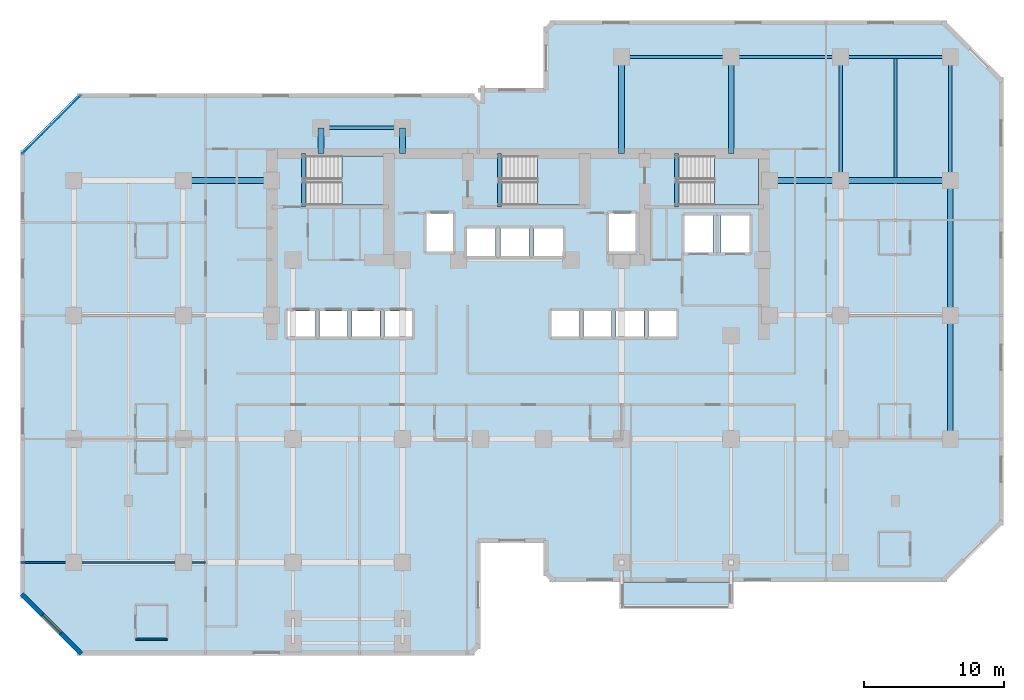
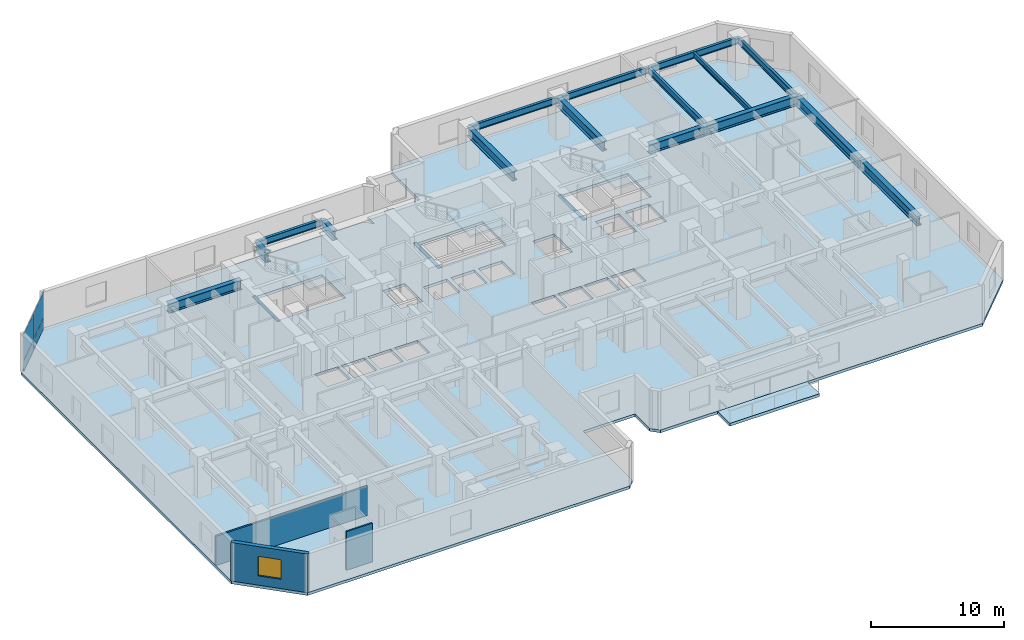
# One storey, part 4 of 11: 19 beams, 5 slabs, 4 plates, 3 walls, 1 window, 1 opening, 4 elements without a shape of their own.
"""IFC4 building model written with IfcOpenShell, lengths in metres."""

import ifcopenshell
import ifcopenshell.guid

model = None  # the IFC model being written
_history = None  # IfcOwnerHistory: only IFC2X3 demands one
_inside = {}  # id of a spatial element -> (the spatial element, [elements in it])
_under = {}  # id of a project, library or spatial element -> (it, [spatial elements below it])
_declared = {}  # id of a project -> (the project, [libraries it declares])
_typed = {}  # id of a type object -> (the type object, [elements of that type])
_made_of = {}  # id of a material, layer set ... -> (it, [elements and type objects made of it])


def new_model(schema):
    """Start an empty IFC model of exactly this schema.

    Asked for "IFC4X3", IfcOpenShell would pick the latest addendum, in which some entities
    have other attributes; the version numbers below select the first issue.
    IFC2X3 requires an IfcOwnerHistory on every rooted entity: one is made here for all.
    """
    global model, _history
    if schema == "IFC4X3":
        model = ifcopenshell.file(schema_version=(4, 3, 0, 0))
    else:
        model = ifcopenshell.file(schema=schema)
    _inside.clear()
    _under.clear()
    _declared.clear()
    _typed.clear()
    _made_of.clear()
    _history = None
    if model.schema == "IFC2X3":
        org = make("IfcOrganization", Name="unknown")
        user = make(
            "IfcPersonAndOrganization",
            ThePerson=make("IfcPerson", FamilyName="unknown"),
            TheOrganization=org,
        )
        app = make(
            "IfcApplication",
            ApplicationDeveloper=org,
            Version="unknown",
            ApplicationFullName="unknown",
            ApplicationIdentifier="unknown",
        )
        _history = make(
            "IfcOwnerHistory",
            OwningUser=user,
            OwningApplication=app,
            ChangeAction="ADDED",
            CreationDate=0,
        )
    return model


def make(cls, **values):
    """One entity of the class cls with the attributes given. An attribute that is None is left unset."""
    return model.create_entity(
        cls, **{name: value for name, value in values.items() if value is not None}
    )


def rooted(cls, **values):
    """An entity with a GlobalId (a new one), such as an element, a storey or a relation."""
    return make(cls, GlobalId=ifcopenshell.guid.new(), OwnerHistory=_history, **values)


def si_unit(unit_type, name, prefix=None):
    """IfcSIUnit, for example si_unit("LENGTHUNIT", "METRE", prefix="MILLI")."""
    return make("IfcSIUnit", UnitType=unit_type, Prefix=prefix, Name=name)


def assignment(units):
    """IfcUnitAssignment: the units of a project."""
    return None if units is None else make("IfcUnitAssignment", Units=units)


def point(xyz):
    """IfcCartesianPoint."""
    return None if xyz is None else make("IfcCartesianPoint", Coordinates=xyz)


def direction(xyz):
    """IfcDirection."""
    return None if xyz is None else make("IfcDirection", DirectionRatios=xyz)


def frame(location, z_axis=None, x_axis=None):
    """IfcAxis2Placement3D, a coordinate frame: its origin and axes. An axis left out is left unset."""
    return make(
        "IfcAxis2Placement3D",
        Location=point(location),
        Axis=direction(z_axis),
        RefDirection=direction(x_axis),
    )


def frame_2d(location, x_axis=None):
    """IfcAxis2Placement2D, a coordinate frame in the plane: its origin and x axis."""
    return make(
        "IfcAxis2Placement2D", Location=point(location), RefDirection=direction(x_axis)
    )


def origin():
    """The frame at (0, 0, 0) with its axes left unset."""
    return frame((0.0, 0.0, 0.0))


def origin_2d():
    """The frame at (0, 0) in the plane with its x axis left unset."""
    return frame_2d((0.0, 0.0))


def place(relative_to, where):
    """IfcLocalPlacement: puts the frame where relative to a parent placement (None: the world)."""
    return make(
        "IfcLocalPlacement", PlacementRelTo=relative_to, RelativePlacement=where
    )


def context(
    kind, dimensions, precision=None, world=None, true_north=None, identifier=None
):
    """IfcGeometricRepresentationContext, for example the 3D "Model" context."""
    return make(
        "IfcGeometricRepresentationContext",
        ContextIdentifier=identifier,
        ContextType=kind,
        CoordinateSpaceDimension=dimensions,
        Precision=precision,
        WorldCoordinateSystem=world,
        TrueNorth=true_north,
    )


def subcontext(parent, identifier, kind, view, scale=None):
    """IfcGeometricRepresentationSubContext, for example "Body" below "Model"."""
    return make(
        "IfcGeometricRepresentationSubContext",
        ContextIdentifier=identifier,
        ContextType=kind,
        ParentContext=parent,
        TargetScale=scale,
        TargetView=view,
    )


def project(units=None, contexts=None):
    """IfcProject with its units and contexts."""
    return rooted(
        "IfcProject",
        Name="project",
        RepresentationContexts=contexts,
        UnitsInContext=assignment(units),
    )


def spatial(cls, under=None, at=None, **own):
    """A site, building, storey or space (cls), placed at a placement, below another one or the project."""
    s = rooted(cls, ObjectPlacement=at, **own)
    if under is not None:
        _under.setdefault(under.id(), (under, []))[1].append(s)
    return s


def polyline(points):
    """IfcPolyline through the points."""
    return make("IfcPolyline", Points=[point(p) for p in points])


def profile(cls, at=None, kind="AREA", **sizes):
    """A parametric profile (cls). Its sizes go by their IFC names, for example OverallWidth=200.0."""
    return make(cls, ProfileType=kind, Position=at, **sizes)


def rectangle(**sizes):
    """IfcRectangleProfileDef."""
    return profile("IfcRectangleProfileDef", **sizes)


def i_section(**sizes):
    """IfcIShapeProfileDef."""
    return profile("IfcIShapeProfileDef", **sizes)


def outline(outer, holes=None, kind="AREA"):
    """IfcArbitraryClosedProfileDef: a profile drawn as a closed curve; with holes, ...WithVoids."""
    if holes is None:
        return make("IfcArbitraryClosedProfileDef", ProfileType=kind, OuterCurve=outer)
    return make(
        "IfcArbitraryProfileDefWithVoids",
        ProfileType=kind,
        OuterCurve=outer,
        InnerCurves=holes,
    )


def extrude(swept, where, along, depth):
    """IfcExtrudedAreaSolid: the profile swept, set in the frame where, extruded along a direction by depth."""
    return make(
        "IfcExtrudedAreaSolid",
        SweptArea=swept,
        Position=where,
        ExtrudedDirection=direction(along),
        Depth=depth,
    )


def shape(context_of_items, identifier, shape_type, items):
    """IfcShapeRepresentation: the items that make up one representation, for example the "Body"."""
    return make(
        "IfcShapeRepresentation",
        ContextOfItems=context_of_items,
        RepresentationIdentifier=identifier,
        RepresentationType=shape_type,
        Items=items,
    )


def material(Name=None, Category=None):
    """IfcMaterial."""
    return make("IfcMaterial", Name=Name, Category=Category)


def layer(
    of_material, thickness, ventilated=None, Name=None, Category=None, Priority=None
):
    """IfcMaterialLayer: one layer of a wall or slab, of a material (None: an air gap)."""
    return make(
        "IfcMaterialLayer",
        Material=of_material,
        LayerThickness=thickness,
        IsVentilated=ventilated,
        Name=Name,
        Category=Category,
        Priority=Priority,
    )


def layer_set(layers, Name=None):
    """IfcMaterialLayerSet."""
    return make("IfcMaterialLayerSet", MaterialLayers=layers, LayerSetName=Name)


def material_profile(
    of_material, cross_section, Name=None, Category=None, Priority=None
):
    """IfcMaterialProfile: a cross section and its material."""
    return make(
        "IfcMaterialProfile",
        Name=Name,
        Material=of_material,
        Profile=cross_section,
        Priority=Priority,
        Category=Category,
    )


def profile_set(profiles, Name=None, composite=None):
    """IfcMaterialProfileSet."""
    return make(
        "IfcMaterialProfileSet",
        Name=Name,
        MaterialProfiles=profiles,
        CompositeProfile=composite,
    )


def made_of(thing, what):
    """Note that an element or type object is made of a material, layer set ...; save() writes the relation."""
    if what is not None:
        _made_of.setdefault(what.id(), (what, []))[1].append(thing)
    return thing


def type_object(cls, material=None, **own):
    """A type object (cls), such as IfcWallType, which elements share."""
    return made_of(rooted(cls, **own), material)


def element(
    cls,
    number,
    at=None,
    inside=None,
    cuts=None,
    type_object=None,
    material=None,
    context=None,
    identifier="Body",
    shape_type=None,
    held_by="IfcProductDefinitionShape",
    body=None,
    shapes=None,
    **own,
):
    """One element of the class cls, such as IfcWall. Its Tag is "e" and its number.

    at: its placement. inside: the storey or other place that contains it. cuts: it is an
    opening in that element (IfcRelVoidsElement). A single representation is given by context,
    identifier, shape_type and body (its items); several are given by shapes. held_by: the class
    of the entity that holds the representations. save() writes the other relations.
    """
    e = rooted(cls, Tag="e%d" % number, ObjectPlacement=at, **own)
    if body is not None:
        shapes = [shape(context, identifier, shape_type, body)]
    if shapes is not None:
        e.Representation = make(held_by, Representations=shapes)
    if inside is not None:
        _inside.setdefault(inside.id(), (inside, []))[1].append(e)
    if cuts is not None:
        rooted(
            "IfcRelVoidsElement", RelatingBuildingElement=cuts, RelatedOpeningElement=e
        )
    if type_object is not None:
        _typed.setdefault(type_object.id(), (type_object, []))[1].append(e)
    return made_of(e, material)


def fill(opening, filler):
    """IfcRelFillsElement: the door or window that sits in an opening."""
    return rooted(
        "IfcRelFillsElement",
        RelatingOpeningElement=opening,
        RelatedBuildingElement=filler,
    )


def aggregate(whole, parts):
    """IfcRelAggregates: a whole, such as a stair, and the parts it consists of."""
    return rooted("IfcRelAggregates", RelatingObject=whole, RelatedObjects=parts)


def save(model, path):
    """Write the relations noted so far, then the file.

    IfcRelAggregates (storeys below a building ...), IfcRelContainedInSpatialStructure (elements
    in a storey), IfcRelDefinesByType, IfcRelAssociatesMaterial and IfcRelDeclares: one each for
    every whole, place, type object, material and project.
    """
    for whole, parts in _under.values():
        aggregate(whole, parts)
    for where, things in _inside.values():
        rooted(
            "IfcRelContainedInSpatialStructure",
            RelatedElements=things,
            RelatingStructure=where,
        )
    for kind, things in _typed.values():
        rooted("IfcRelDefinesByType", RelatedObjects=things, RelatingType=kind)
    for what, things in _made_of.values():
        rooted("IfcRelAssociatesMaterial", RelatedObjects=things, RelatingMaterial=what)
    for by, libraries in _declared.values():
        rooted("IfcRelDeclares", RelatingContext=by, RelatedDefinitions=libraries)
    model.write(path)


model = new_model("IFC4")

# Units and contexts
model_context = context("Model", 3, precision=1e-05, world=origin(), true_north=direction((0.0, 1.0)))
body_context = subcontext(model_context, "Body", "Model", "MODEL_VIEW")
ifc_project = project(units=[si_unit("LENGTHUNIT", "METRE"), si_unit("AREAUNIT", "SQUARE_METRE"), si_unit("VOLUMEUNIT", "CUBIC_METRE"), si_unit("PLANEANGLEUNIT", "RADIAN"), si_unit("MASSUNIT", "GRAM", prefix="KILO")], contexts=[model_context])

# Site, building, storey
site_placement = place(None, origin())
site = spatial("IfcSite", under=ifc_project, at=site_placement, CompositionType="ELEMENT")
building_placement = place(site_placement, origin())
building = spatial("IfcBuilding", under=site, at=building_placement, Name="Kestravale Grand Hotel", CompositionType="ELEMENT")
storey_placement = place(building_placement, frame((0.0, 0.0, 107.0)))
storey = spatial("IfcBuildingStorey", under=building, at=storey_placement, Name="L26", CompositionType="ELEMENT", Elevation=107.0)

# Beams
ifc_material_1 = material(Name="Steel ASTM A992 Grade 50", Category="steel")
ifc_material_profile_1 = material_profile(ifc_material_1, i_section(OverallWidth=0.19091796875, OverallDepth=0.45703125, WebThickness=0.009033203125, FlangeThickness=0.014404296875, FilletRadius=0.015380859375, at=origin_2d()))
ifc_profile_set_1 = profile_set([ifc_material_profile_1], Name="Steel ASTM A992 Grade 50")
beam_type_1 = type_object("IfcBeamType", Name="B-FLR-JST18", PredefinedType="JOIST", material=ifc_profile_set_1)
beam_1_placement = place(storey_placement, frame((66.300048828125, 38.6005859375, 3.3115234375), z_axis=(0.0, 1.0, 0.0), x_axis=(-1.0, 0.0, 0.0)))
element("IfcBeam", 1, at=beam_1_placement, inside=storey, type_object=beam_type_1, Name="L26 floor joist 10-11/F-G #1", PredefinedType="JOIST", context=body_context, shape_type="SweptSolid", body=[
    extrude(i_section(OverallWidth=0.19091796875, OverallDepth=0.45703125, WebThickness=0.009033203125, FlangeThickness=0.014404296875, FilletRadius=0.015380859375, at=origin_2d()), origin(), (0.0, 0.0, 1.0), 8.48486328125),
])
ifc_material_2 = material(Name="Concrete f'c 45 MPa", Category="concrete")
ifc_material_profile_2 = material_profile(ifc_material_2, rectangle(XDim=0.300048828125, YDim=0.39990234375, at=origin_2d()))
ifc_profile_set_2 = profile_set([ifc_material_profile_2], Name="Concrete f'c 45 MPa")
beam_type_2 = type_object("IfcBeamType", Name="B-FLR-LNT400", PredefinedType="LINTEL", material=ifc_profile_set_2)
for number, where, z_axis, x_axis, name in (
    (2, (24.159912109375, 36.52001953125, -0.199951171875), (0.0, 1.0, 0.0), (-1.0, 0.0, 0.0), "L26 ST1 flight bottom header beam"),
    (3, (38.110107421875, 36.52001953125, -0.199951171875), (0.0, 1.0, 0.0), (-1.0, 0.0, 0.0), "L26 ST2 flight bottom header beam"),
    (4, (50.7099609375, 36.52001953125, -0.199951171875), (0.0, 1.0, 0.0), (-1.0, 0.0, 0.0), "L26 ST3 flight bottom header beam"),
):
    element("IfcBeam", number, at=place(storey_placement, frame(where, z_axis=z_axis, x_axis=x_axis)), inside=storey, type_object=beam_type_2, Name=name, PredefinedType="LINTEL", context=body_context, shape_type="SweptSolid", body=[
        extrude(rectangle(XDim=0.300048828125, YDim=0.39990234375, at=origin_2d()), origin(), (0.0, 0.0, 1.0), 3.800048828125),
    ])
ifc_material_3 = material(Name="Steel ASTM A992 Grade 50", Category="steel")
ifc_material_profile_3 = material_profile(ifc_material_3, i_section(OverallWidth=0.22900390625, OverallDepth=0.612060546875, WebThickness=0.011962890625, FlangeThickness=0.01953125, FilletRadius=0.019287109375, at=origin_2d()))
ifc_profile_set_3 = profile_set([ifc_material_profile_3], Name="Steel ASTM A992 Grade 50")
beam_type_3 = type_object("IfcBeamType", Name="B-FLR-W24B", PredefinedType="SPANDREL", material=ifc_profile_set_3)
beam_2_placement = place(storey_placement, frame((46.800048828125, 47.199951171875, 3.23388671875), z_axis=(1.0, 0.0, 0.0), x_axis=(0.0, 1.0, 0.0)))
element("IfcBeam", 5, at=beam_2_placement, inside=storey, type_object=beam_type_3, Name="L26 spandrel G:8-9", PredefinedType="SPANDREL", context=body_context, shape_type="SweptSolid", body=[
    extrude(i_section(OverallWidth=0.22900390625, OverallDepth=0.612060546875, WebThickness=0.011962890625, FlangeThickness=0.01953125, FilletRadius=0.019287109375, at=origin_2d()), origin(), (0.0, 0.0, 1.0), 7.800048828125),
])
beam_3_placement = place(storey_placement, frame((54.60009765625, 47.199951171875, 3.23388671875), z_axis=(1.0, 0.0, 0.0), x_axis=(0.0, 1.0, 0.0)))
element("IfcBeam", 6, at=beam_3_placement, inside=storey, type_object=beam_type_3, Name="L26 spandrel G:9-10", PredefinedType="SPANDREL", context=body_context, shape_type="SweptSolid", body=[
    extrude(i_section(OverallWidth=0.22900390625, OverallDepth=0.612060546875, WebThickness=0.011962890625, FlangeThickness=0.01953125, FilletRadius=0.019287109375, at=origin_2d()), origin(), (0.0, 0.0, 1.0), 7.7998046875),
])
beam_4_placement = place(storey_placement, frame((62.39990234375, 47.199951171875, 3.23388671875), z_axis=(1.0, 0.0, 0.0), x_axis=(0.0, 1.0, 0.0)))
element("IfcBeam", 7, at=beam_4_placement, inside=storey, type_object=beam_type_3, Name="L26 spandrel G:10-11", PredefinedType="SPANDREL", context=body_context, shape_type="SweptSolid", body=[
    extrude(i_section(OverallWidth=0.22900390625, OverallDepth=0.612060546875, WebThickness=0.011962890625, FlangeThickness=0.01953125, FilletRadius=0.019287109375, at=origin_2d()), origin(), (0.0, 0.0, 1.0), 7.800048828125),
])
beam_5_placement = place(storey_placement, frame((25.39990234375, 42.14990234375, 3.23388671875), z_axis=(1.0, 0.0, 0.0), x_axis=(0.0, 1.0, 0.0)))
element("IfcBeam", 8, at=beam_5_placement, inside=storey, type_object=beam_type_3, Name="L26 perimeter tie spandrel FN:4-5", PredefinedType="SPANDREL", context=body_context, shape_type="SweptSolid", body=[
    extrude(i_section(OverallWidth=0.22900390625, OverallDepth=0.612060546875, WebThickness=0.011962890625, FlangeThickness=0.01953125, FilletRadius=0.019287109375, at=origin_2d()), origin(), (0.0, 0.0, 1.0), 5.800048828125),
])
for number, where, z_axis, x_axis, name in (
    (9, (62.39990234375, 38.39990234375, 3.23388671875), (0.0, 1.0, 0.0), (-1.0, 0.0, 0.0), "L26 spandrel 10:F-G"),
    (10, (70.199951171875, 38.39990234375, 3.23388671875), (0.0, 1.0, 0.0), (-1.0, 0.0, 0.0), "L26 spandrel 11:F-G"),
):
    element("IfcBeam", number, at=place(storey_placement, frame(where, z_axis=z_axis, x_axis=x_axis)), inside=storey, type_object=beam_type_3, Name=name, PredefinedType="SPANDREL", context=body_context, shape_type="SweptSolid", body=[
        extrude(i_section(OverallWidth=0.22900390625, OverallDepth=0.612060546875, WebThickness=0.011962890625, FlangeThickness=0.01953125, FilletRadius=0.019287109375, at=origin_2d()), origin(), (0.0, 0.0, 1.0), 8.800048828125),
    ])
ifc_material_4 = material(Name="Steel ASTM A992 Grade 50", Category="steel")
ifc_material_profile_4 = material_profile(ifc_material_4, i_section(OverallWidth=0.40087890625, OverallDepth=0.861083984375, WebThickness=0.019775390625, FlangeThickness=0.032470703125, FilletRadius=0.0234375, at=origin_2d()))
ifc_profile_set_4 = profile_set([ifc_material_profile_4], Name="Steel ASTM A992 Grade 50")
beam_type_4 = type_object("IfcBeamType", Name="B-GRD-W33", PredefinedType="BEAM", material=ifc_profile_set_4)
beam_6_placement = place(storey_placement, frame((15.60009765625, 38.39990234375, 3.109619140625), z_axis=(1.0, 0.0, 0.0), x_axis=(0.0, 1.0, 0.0)))
element("IfcBeam", 11, at=beam_6_placement, inside=storey, type_object=beam_type_4, Name="L26 girder F:3-CW", PredefinedType="BEAM", context=body_context, shape_type="SweptSolid", body=[
    extrude(i_section(OverallWidth=0.40087890625, OverallDepth=0.861083984375, WebThickness=0.019775390625, FlangeThickness=0.032470703125, FilletRadius=0.0234375, at=origin_2d()), origin(), (0.0, 0.0, 1.0), 6.2998046875),
])
beam_7_placement = place(storey_placement, frame((57.35009765625, 38.39990234375, 3.109619140625), z_axis=(1.0, 0.0, 0.0), x_axis=(0.0, 1.0, 0.0)))
element("IfcBeam", 12, at=beam_7_placement, inside=storey, type_object=beam_type_4, Name="L26 girder F:CE-10", PredefinedType="BEAM", context=body_context, shape_type="SweptSolid", body=[
    extrude(i_section(OverallWidth=0.40087890625, OverallDepth=0.861083984375, WebThickness=0.019775390625, FlangeThickness=0.032470703125, FilletRadius=0.0234375, at=origin_2d()), origin(), (0.0, 0.0, 1.0), 5.0498046875),
])
beam_8_placement = place(storey_placement, frame((62.39990234375, 38.39990234375, 3.109619140625), z_axis=(1.0, 0.0, 0.0), x_axis=(0.0, 1.0, 0.0)))
element("IfcBeam", 13, at=beam_8_placement, inside=storey, type_object=beam_type_4, Name="L26 girder F:10-11", PredefinedType="BEAM", context=body_context, shape_type="SweptSolid", body=[
    extrude(i_section(OverallWidth=0.40087890625, OverallDepth=0.861083984375, WebThickness=0.019775390625, FlangeThickness=0.032470703125, FilletRadius=0.0234375, at=origin_2d()), origin(), (0.0, 0.0, 1.0), 7.800048828125),
])
beam_9_placement = place(storey_placement, frame((70.199951171875, 20.0, 3.109619140625), z_axis=(0.0, 1.0, 0.0), x_axis=(-1.0, 0.0, 0.0)))
element("IfcBeam", 14, at=beam_9_placement, inside=storey, type_object=beam_type_4, Name="L26 girder 11:D-E", PredefinedType="BEAM", context=body_context, shape_type="SweptSolid", body=[
    extrude(i_section(OverallWidth=0.40087890625, OverallDepth=0.861083984375, WebThickness=0.019775390625, FlangeThickness=0.032470703125, FilletRadius=0.0234375, at=origin_2d()), origin(), (0.0, 0.0, 1.0), 8.800048828125),
])
beam_10_placement = place(storey_placement, frame((70.199951171875, 28.800048828125, 3.109619140625), z_axis=(0.0, 1.0, 0.0), x_axis=(-1.0, 0.0, 0.0)))
element("IfcBeam", 15, at=beam_10_placement, inside=storey, type_object=beam_type_4, Name="L26 girder 11:E-F", PredefinedType="BEAM", context=body_context, shape_type="SweptSolid", body=[
    extrude(i_section(OverallWidth=0.40087890625, OverallDepth=0.861083984375, WebThickness=0.019775390625, FlangeThickness=0.032470703125, FilletRadius=0.0234375, at=origin_2d()), origin(), (0.0, 0.0, 1.0), 9.599853515625),
])
for number, where, z_axis, x_axis, name in (
    (16, (25.39990234375, 40.320068359375, 3.109619140625), (0.0, 1.0, 0.0), (-1.0, 0.0, 0.0), "L26 north wing tie girder 4:CN-FN"),
    (17, (31.199951171875, 40.320068359375, 3.109619140625), (0.0, 1.0, 0.0), (-1.0, 0.0, 0.0), "L26 north wing tie girder 5:CN-FN"),
):
    element("IfcBeam", number, at=place(storey_placement, frame(where, z_axis=z_axis, x_axis=x_axis)), inside=storey, type_object=beam_type_4, Name=name, PredefinedType="BEAM", context=body_context, shape_type="SweptSolid", body=[
        extrude(i_section(OverallWidth=0.40087890625, OverallDepth=0.861083984375, WebThickness=0.019775390625, FlangeThickness=0.032470703125, FilletRadius=0.0234375, at=origin_2d()), origin(), (0.0, 0.0, 1.0), 1.829833984375),
    ])
for number, where, z_axis, x_axis, name in (
    (18, (46.800048828125, 40.320068359375, 3.109619140625), (0.0, 1.0, 0.0), (-1.0, 0.0, 0.0), "L26 north wing tie girder 8:CN-G"),
    (19, (54.60009765625, 40.320068359375, 3.109619140625), (0.0, 1.0, 0.0), (-1.0, 0.0, 0.0), "L26 north wing tie girder 9:CN-G"),
):
    element("IfcBeam", number, at=place(storey_placement, frame(where, z_axis=z_axis, x_axis=x_axis)), inside=storey, type_object=beam_type_4, Name=name, PredefinedType="BEAM", context=body_context, shape_type="SweptSolid", body=[
        extrude(i_section(OverallWidth=0.40087890625, OverallDepth=0.861083984375, WebThickness=0.019775390625, FlangeThickness=0.032470703125, FilletRadius=0.0234375, at=origin_2d()), origin(), (0.0, 0.0, 1.0), 6.8798828125),
    ])

# Curtain wall, plates
ifc_material_5 = material(Name="Thermally broken champagne-bronze aluminium and low-E glazing", Category="aluminium")
ifc_layer_1 = layer(ifc_material_5, 0.199951171875)
ifc_layer_set_1 = layer_set([ifc_layer_1], Name="CW-Z2")
curtain_wall_type = type_object("IfcCurtainWallType", Name="CW-Z2", PredefinedType="NOTDEFINED", material=ifc_layer_set_1)
curtain_wall_placement = place(storey_placement, origin())
curtain_wall = element("IfcCurtainWall", 20, at=curtain_wall_placement, inside=storey, type_object=curtain_wall_type, Name="L26 unitised curtain wall 18", PredefinedType="NOTDEFINED")
ifc_material_6 = material(Name="Insulated clear low-E double glazing IGU", Category="glass")
ifc_layer_2 = layer(ifc_material_6, 0.031982421875)
ifc_layer_set_2 = layer_set([ifc_layer_2], Name="CW-PNL-32")
plate_type = type_object("IfcPlateType", Name="CW-PNL-32", PredefinedType="CURTAIN_PANEL", material=ifc_layer_set_2)
plate_1_placement = place(storey_placement, frame((7.26416015625, 43.423583984375, 0.06494140625), z_axis=(0.0, 0.0, 1.0), x_axis=(-0.707106781187, -0.707106781187, 0.0)))
plate_1 = element("IfcPlate", 21, at=plate_1_placement, type_object=plate_type, Name="CW-Z2 panel 1.1", PredefinedType="CURTAIN_PANEL", context=body_context, shape_type="SweptSolid", body=[
    extrude(rectangle(XDim=2.87744140625, YDim=0.031982421875, at=origin_2d()), origin(), (0.0, 0.0, 1.0), 0.952392578125),
])
plate_2_placement = place(storey_placement, frame((7.26416015625, 43.423583984375, 1.08251953125), z_axis=(0.0, 0.0, 1.0), x_axis=(-0.707106781187, -0.707106781187, 0.0)))
plate_2 = element("IfcPlate", 22, at=plate_2_placement, type_object=plate_type, Name="CW-Z2 panel 1.2", PredefinedType="CURTAIN_PANEL", context=body_context, shape_type="SweptSolid", body=[
    extrude(rectangle(XDim=2.87744140625, YDim=0.031982421875, at=origin_2d()), origin(), (0.0, 0.0, 1.0), 2.392578125),
])
plate_3_placement = place(storey_placement, frame((5.17626953125, 41.3359375, 0.06494140625), z_axis=(0.0, 0.0, 1.0), x_axis=(-0.707106781187, -0.707106781187, 0.0)))
plate_3 = element("IfcPlate", 23, at=plate_3_placement, type_object=plate_type, Name="CW-Z2 panel 2.1", PredefinedType="CURTAIN_PANEL", context=body_context, shape_type="SweptSolid", body=[
    extrude(rectangle(XDim=2.87744140625, YDim=0.031982421875, at=origin_2d()), origin(), (0.0, 0.0, 1.0), 0.952392578125),
])
plate_4_placement = place(storey_placement, frame((5.17626953125, 41.3359375, 1.08251953125), z_axis=(0.0, 0.0, 1.0), x_axis=(-0.707106781187, -0.707106781187, 0.0)))
plate_4 = element("IfcPlate", 24, at=plate_4_placement, type_object=plate_type, Name="CW-Z2 panel 2.2", PredefinedType="CURTAIN_PANEL", context=body_context, shape_type="SweptSolid", body=[
    extrude(rectangle(XDim=2.87744140625, YDim=0.031982421875, at=origin_2d()), origin(), (0.0, 0.0, 1.0), 2.392578125),
])
aggregate(curtain_wall, [plate_1, plate_2, plate_3, plate_4])

# Slab
ifc_material_7 = material(Name="Concrete f'c 45 MPa", Category="concrete")
ifc_layer_3 = layer(ifc_material_7, 0.27001953125)
ifc_layer_set_3 = layer_set([ifc_layer_3], Name="ES-TERR-270")
slab_type_1 = type_object("IfcSlabType", Name="ES-TERR-270", PredefinedType="FLOOR", material=ifc_layer_set_3)
slab_1_placement = place(storey_placement, frame((0.0, 0.0, -0.27001953125)))
element("IfcSlab", 25, at=slab_1_placement, inside=storey, type_object=slab_type_1, Name="L26 spiralling planted garden terrace", PredefinedType="FLOOR", context=body_context, shape_type="SweptSolid", body=[
    extrude(outline(polyline([(46.800048828125, 7.949951171875), (54.60009765625, 7.949951171875), (54.60009765625, 9.800048828125), (46.800048828125, 9.800048828125), (46.800048828125, 7.949951171875)])), origin(), (0.0, 0.0, 1.0), 0.27001953125),
])

# Stair, slab
ifc_material_8 = material(Name="Concrete f'c 45 MPa", Category="concrete")
stair_type = type_object("IfcStairType", Name="ST-CORE-380", PredefinedType="HALF_TURN_STAIR", material=ifc_material_8)
stair_1_placement = place(storey_placement, origin())
stair_1 = element("IfcStair", 26, at=stair_1_placement, inside=storey, type_object=stair_type, Name="L26 ST-1", PredefinedType="HALF_TURN_STAIR")
ifc_material_9 = material(Name="Concrete f'c 45 MPa", Category="concrete")
ifc_layer_4 = layer(ifc_material_9, 0.199951171875)
ifc_layer_set_4 = layer_set([ifc_layer_4], Name="SLB-ST-LND200")
slab_type_2 = type_object("IfcSlabType", Name="SLB-ST-LND200", PredefinedType="LANDING", material=ifc_layer_set_4)
slab_2_placement = place(storey_placement, frame((0.0, 0.0, 1.699951171875)))
slab_2 = element("IfcSlab", 27, at=slab_2_placement, type_object=slab_type_2, Name="ST-1 landing 1", PredefinedType="LANDING", context=body_context, shape_type="SweptSolid", body=[
    extrude(outline(polyline([(26.8798828125, 36.64990234375), (30.0, 36.64990234375), (30.0, 40.159912109375), (26.8798828125, 40.159912109375), (26.8798828125, 36.64990234375)])), origin(), (0.0, 0.0, 1.0), 0.199951171875),
])
aggregate(stair_1, [slab_2])

stair_2_placement = place(storey_placement, origin())
stair_2 = element("IfcStair", 28, at=stair_2_placement, inside=storey, type_object=stair_type, Name="L26 ST-2", PredefinedType="HALF_TURN_STAIR")
slab_3_placement = place(storey_placement, frame((0.0, 0.0, 1.699951171875)))
slab_3 = element("IfcSlab", 29, at=slab_3_placement, type_object=slab_type_2, Name="ST-2 landing 1", PredefinedType="LANDING", context=body_context, shape_type="SweptSolid", body=[
    extrude(outline(polyline([(40.830078125, 36.64990234375), (43.949951171875, 36.64990234375), (43.949951171875, 40.159912109375), (40.830078125, 40.159912109375), (40.830078125, 36.64990234375)])), origin(), (0.0, 0.0, 1.0), 0.199951171875),
])
aggregate(stair_2, [slab_3])

stair_3_placement = place(storey_placement, origin())
stair_3 = element("IfcStair", 30, at=stair_3_placement, inside=storey, type_object=stair_type, Name="L26 ST-3", PredefinedType="HALF_TURN_STAIR")
slab_4_placement = place(storey_placement, frame((0.0, 0.0, 1.699951171875)))
slab_4 = element("IfcSlab", 31, at=slab_4_placement, type_object=slab_type_2, Name="ST-3 landing 1", PredefinedType="LANDING", context=body_context, shape_type="SweptSolid", body=[
    extrude(outline(polyline([(53.429931640625, 36.64990234375), (56.550048828125, 36.64990234375), (56.550048828125, 40.159912109375), (53.429931640625, 40.159912109375), (53.429931640625, 36.64990234375)])), origin(), (0.0, 0.0, 1.0), 0.199951171875),
])
aggregate(stair_3, [slab_4])

# Slab
ifc_material_10 = material(Name="Concrete f'c 45 MPa", Category="concrete")
ifc_layer_5 = layer(ifc_material_10, 0.260009765625)
ifc_layer_set_5 = layer_set([ifc_layer_5], Name="SS-FLR-260")
slab_type_3 = type_object("IfcSlabType", Name="SS-FLR-260", PredefinedType="FLOOR", material=ifc_layer_set_5)
slab_5_placement = place(storey_placement, frame((0.0, 0.0, -0.260009765625)))
element("IfcSlab", 32, at=slab_5_placement, inside=storey, type_object=slab_type_3, Name="L26 structural floor slab", PredefinedType="FLOOR", context=body_context, shape_type="SweptSolid", body=[
    extrude(outline(polyline([(8.199951171875, 4.60009765625), (36.14990234375, 4.60009765625), (36.75, 5.199951171875), (36.75, 12.60009765625), (41.25, 12.60009765625), (41.25, 10.39990234375), (41.85009765625, 9.800048828125), (69.800048828125, 9.800048828125), (74.0, 14.0), (74.0, 45.60009765625), (69.800048828125, 49.800048828125), (41.85009765625, 49.800048828125), (41.25, 49.199951171875), (41.25, 45.0), (36.75, 45.0), (36.75, 44.0), (36.14990234375, 44.60009765625), (8.199951171875, 44.60009765625), (4.0, 40.39990234375), (4.0, 8.800048828125), (8.199951171875, 4.60009765625)]), holes=[polyline([(24.080078125, 36.64990234375), (30.0, 36.64990234375), (30.0, 40.159912109375), (24.080078125, 40.159912109375), (24.080078125, 36.64990234375)]), polyline([(38.030029296875, 36.64990234375), (43.949951171875, 36.64990234375), (43.949951171875, 40.159912109375), (38.030029296875, 40.159912109375), (38.030029296875, 36.64990234375)]), polyline([(50.6298828125, 36.64990234375), (56.550048828125, 36.64990234375), (56.550048828125, 40.159912109375), (50.6298828125, 40.159912109375), (50.6298828125, 36.64990234375)]), polyline([(23.0048828125, 27.280029296875), (24.9951171875, 27.280029296875), (24.9951171875, 29.1201171875), (23.0048828125, 29.1201171875), (23.0048828125, 27.280029296875)]), polyline([(25.304931640625, 27.280029296875), (27.294921875, 27.280029296875), (27.294921875, 29.1201171875), (25.304931640625, 29.1201171875), (25.304931640625, 27.280029296875)]), polyline([(27.60498046875, 27.280029296875), (29.594970703125, 27.280029296875), (29.594970703125, 29.1201171875), (27.60498046875, 29.1201171875), (27.60498046875, 27.280029296875)]), polyline([(29.905029296875, 27.280029296875), (31.89501953125, 27.280029296875), (31.89501953125, 29.1201171875), (29.905029296875, 29.1201171875), (29.905029296875, 27.280029296875)]), polyline([(41.804931640625, 27.280029296875), (43.794921875, 27.280029296875), (43.794921875, 29.1201171875), (41.804931640625, 29.1201171875), (41.804931640625, 27.280029296875)]), polyline([(44.10498046875, 27.280029296875), (46.094970703125, 27.280029296875), (46.094970703125, 29.1201171875), (44.10498046875, 29.1201171875), (44.10498046875, 27.280029296875)]), polyline([(46.405029296875, 27.280029296875), (48.39501953125, 27.280029296875), (48.39501953125, 29.1201171875), (46.405029296875, 29.1201171875), (46.405029296875, 27.280029296875)]), polyline([(48.705078125, 27.280029296875), (50.695068359375, 27.280029296875), (50.695068359375, 29.1201171875), (48.705078125, 29.1201171875), (48.705078125, 27.280029296875)]), polyline([(35.780029296875, 33.030029296875), (37.820068359375, 33.030029296875), (37.820068359375, 34.969970703125), (35.780029296875, 34.969970703125), (35.780029296875, 33.030029296875)]), polyline([(38.179931640625, 33.030029296875), (40.219970703125, 33.030029296875), (40.219970703125, 34.969970703125), (38.179931640625, 34.969970703125), (38.179931640625, 33.030029296875)]), polyline([(40.580078125, 33.030029296875), (42.6201171875, 33.030029296875), (42.6201171875, 34.969970703125), (40.580078125, 34.969970703125), (40.580078125, 33.030029296875)]), polyline([(32.905029296875, 33.35498046875), (34.794921875, 33.35498046875), (34.794921875, 36.044921875), (32.905029296875, 36.044921875), (32.905029296875, 33.35498046875)]), polyline([(45.905029296875, 33.35498046875), (47.794921875, 33.35498046875), (47.794921875, 36.044921875), (45.905029296875, 36.044921875), (45.905029296875, 33.35498046875)]), polyline([(51.280029296875, 33.280029296875), (53.320068359375, 33.280029296875), (53.320068359375, 35.919921875), (51.280029296875, 35.919921875), (51.280029296875, 33.280029296875)]), polyline([(53.8798828125, 33.280029296875), (55.919921875, 33.280029296875), (55.919921875, 35.919921875), (53.8798828125, 35.919921875), (53.8798828125, 33.280029296875)])]), origin(), (0.0, 0.0, 1.0), 0.260009765625),
])

# Wall, opening, window
ifc_material_11 = material(Name="Precast concrete f'c 45 MPa", Category="concrete")
ifc_layer_6 = layer(ifc_material_11, 0.340087890625)
ifc_layer_set_6 = layer_set([ifc_layer_6], Name="EW-PREC-340")
wall_type_1 = type_object("IfcWallType", Name="EW-PREC-340", PredefinedType="SOLIDWALL", material=ifc_layer_set_6)
wall_1_placement = place(storey_placement, frame((4.091796875, 8.948486328125, 0.0), z_axis=(0.0, 0.0, 1.0), x_axis=(0.707106781187, -0.707106781187, 0.0)))
wall_1 = element("IfcWall", 33, at=wall_1_placement, inside=storey, type_object=wall_type_1, Name="L26 fluted precast facade wall 20", PredefinedType="SOLIDWALL", context=body_context, shape_type="SweptSolid", body=[
    extrude(rectangle(XDim=6.019775390625, YDim=0.340087890625, at=frame_2d((3.009765625, 0.0))), origin(), (0.0, 0.0, 1.0), 3.5400390625),
])
opening_placement = place(wall_1_placement, frame((2.10986328125, 0.0, 0.85009765625)))
opening = element("IfcOpeningElement", 34, at=opening_placement, cuts=wall_1, Name="Opening W-GUEST-1800", PredefinedType="OPENING", context=body_context, shape_type="SweptSolid", body=[
    extrude(rectangle(XDim=1.800048828125, YDim=1.800048828125, at=frame_2d((0.89990234375, 0.89990234375))), frame((0.0, 0.179931640625, 0.0), z_axis=(0.0, -1.0, 0.0), x_axis=(1.0, 0.0, 0.0)), (0.0, 0.0, 1.0), 0.360107421875),
])
ifc_material_12 = material(Name="Insulated low-E double glazing in aluminium frame", Category="aluminium")
window_type = type_object("IfcWindowType", Name="W-GUEST-1800", PartitioningType="DOUBLE_PANEL_VERTICAL", PredefinedType="WINDOW", material=ifc_material_12)
window_placement = place(opening_placement, origin())
window = element("IfcWindow", 35, at=window_placement, inside=storey, type_object=window_type, Name="L26 exterior window 20.1", OverallHeight=1.800048828125, OverallWidth=1.800048828125, PartitioningType="SINGLE_PANEL", PredefinedType="WINDOW", context=body_context, shape_type="SweptSolid", body=[
    extrude(rectangle(XDim=1.800048828125, YDim=1.800048828125, at=frame_2d((0.89990234375, 0.89990234375))), frame((0.0, 0.030029296875, 0.0), z_axis=(0.0, -1.0, 0.0), x_axis=(1.0, 0.0, 0.0)), (0.0, 0.0, 1.0), 0.06005859375),
])
fill(opening, window)

# Walls
ifc_material_13 = material(Name="Moisture-resistant tile-backer plumbing chase wall", Category="other")
ifc_layer_7 = layer(ifc_material_13, 0.139892578125)
ifc_layer_set_7 = layer_set([ifc_layer_7], Name="IW-PLB-140")
wall_type_2 = type_object("IfcWallType", Name="IW-PLB-140", PredefinedType="PLUMBINGWALL", material=ifc_layer_set_7)
wall_2_placement = place(storey_placement, frame((12.199951171875, 5.75, 0.0), z_axis=(0.0, 0.0, 1.0), x_axis=(1.0, 0.0, 0.0)))
element("IfcWall", 36, at=wall_2_placement, inside=storey, type_object=wall_type_2, Name="W-L26-U03-BS", PredefinedType="PLUMBINGWALL", context=body_context, shape_type="SweptSolid", body=[
    extrude(rectangle(XDim=2.25, YDim=0.139892578125, at=frame_2d((1.125, 0.0))), origin(), (0.0, 0.0, 1.0), 3.5400390625),
])
ifc_material_14 = material(Name="Double-stud STC 52 acoustic demising partition", Category="other")
ifc_layer_8 = layer(ifc_material_14, 0.14990234375)
ifc_layer_set_8 = layer_set([ifc_layer_8], Name="IW-UNIT-150")
wall_type_3 = type_object("IfcWallType", Name="IW-UNIT-150", PredefinedType="PARTITIONING", material=ifc_layer_set_8)
wall_3_placement = place(storey_placement, frame((4.02001953125, 11.199951171875, 0.0), z_axis=(0.0, 0.0, 1.0), x_axis=(1.0, 0.0, 0.0)))
element("IfcWall", 37, at=wall_3_placement, inside=storey, type_object=wall_type_3, Name="W-L26-WW-1", PredefinedType="PARTITIONING", context=body_context, shape_type="SweptSolid", body=[
    extrude(rectangle(XDim=13.169921875, YDim=0.14990234375, at=frame_2d((6.5849609375, 0.0))), origin(), (0.0, 0.0, 1.0), 2.678955078125),
])

save(model, "model.ifc")
